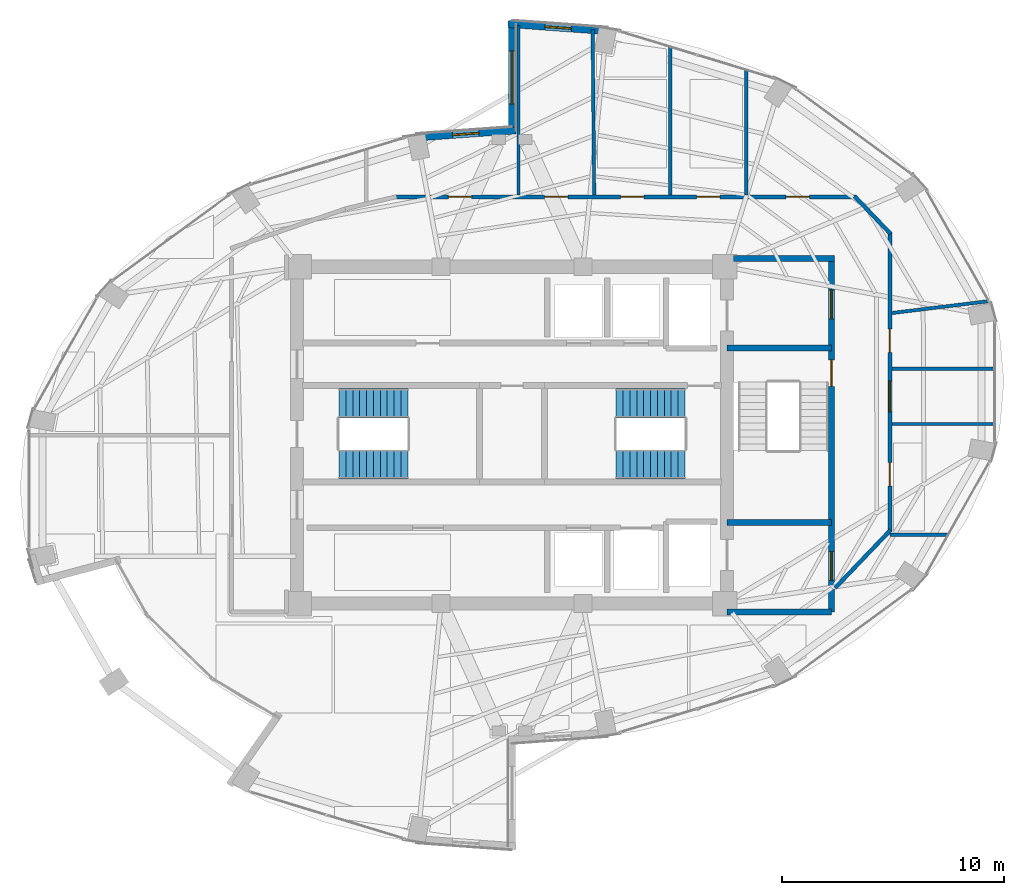
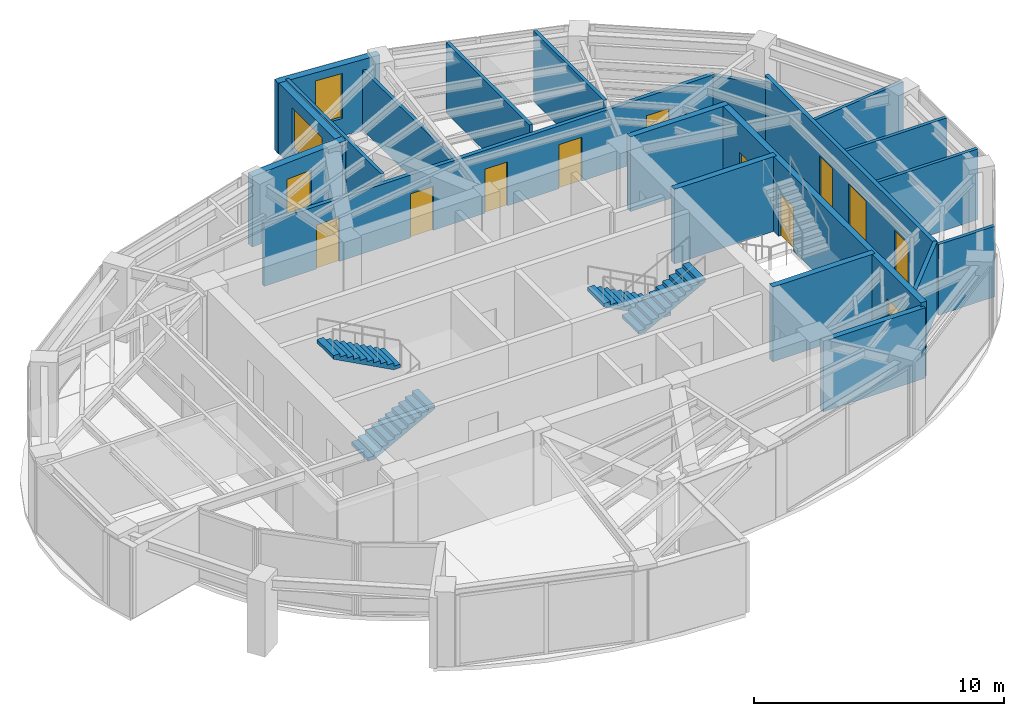
# One storey, part 18 of 21: 20 walls, 11 doors, 4 stair flights, 3 windows, 14 openings, 2 elements without a shape of their own.
"""IFC4 building model written with IfcOpenShell, lengths in metres."""

from ifc_helpers import new_model, si_unit, direction, frame, frame_2d, origin, place, context, subcontext, project, spatial, polyline, rectangle, outline, extrude, material, layer, layer_set, type_object, element, fill, aggregate, save


model = new_model("IFC4")

# Units and contexts
model_context = context("Model", 3, precision=1e-05, world=origin(), true_north=direction((0.0, 1.0)))
body_context = subcontext(model_context, "Body", "Model", "MODEL_VIEW")
ifc_project = project(units=[si_unit("LENGTHUNIT", "METRE"), si_unit("AREAUNIT", "SQUARE_METRE"), si_unit("VOLUMEUNIT", "CUBIC_METRE"), si_unit("PLANEANGLEUNIT", "RADIAN"), si_unit("MASSUNIT", "GRAM", prefix="KILO")], contexts=[model_context])

# Site, building, storey
site_placement = place(None, origin())
site = spatial("IfcSite", under=ifc_project, at=site_placement, CompositionType="ELEMENT")
building_placement = place(site_placement, origin())
building = spatial("IfcBuilding", under=site, at=building_placement, Name="Lazwardi Medical Tower", CompositionType="ELEMENT")
storey_placement = place(building_placement, frame((0.0, 0.0, 220.367919921875)))
storey = spatial("IfcBuildingStorey", under=building, at=storey_placement, Name="L57", CompositionType="ELEMENT", Elevation=220.367919921875)

# Wall, openings, doors
ifc_material_1 = material(Name="Fire-rated gypsum board on steel stud", Category="steel")
ifc_layer_1 = layer(ifc_material_1, 0.179931640625)
ifc_layer_set_1 = layer_set([ifc_layer_1], Name="Fire-rated gypsum board on steel stud")
wall_type_1 = type_object("IfcWallType", Name="WL-COR-180", PredefinedType="PARTITIONING", material=ifc_layer_set_1)
wall_1_placement = place(storey_placement, frame((30.709716796875, 38.75, 0.0), z_axis=(0.0, 0.0, 1.0), x_axis=(1.0, 0.0, 0.0)))
wall_1 = element("IfcWall", 1, at=wall_1_placement, inside=storey, type_object=wall_type_1, Name="L57 Corridor partition 3", PredefinedType="PARTITIONING", context=body_context, shape_type="SweptSolid", body=[
    extrude(rectangle(XDim=20.8154296875, YDim=0.179931640625, at=frame_2d((10.40771484375, 0.0))), origin(), (0.0, 0.0, 1.0), 3.072998046875),
])
opening_1_placement = place(wall_1_placement, frame((17.65380859375, 0.0, 0.0)))
opening_1 = element("IfcOpeningElement", 2, at=opening_1_placement, cuts=wall_1, Name="Opening D-L57-012", PredefinedType="OPENING", context=body_context, shape_type="SweptSolid", body=[
    extrude(rectangle(XDim=1.050048828125, YDim=2.14990234375, at=frame_2d((0.52490234375, 1.074951171875))), frame((0.0, 0.099853515625, 0.0), z_axis=(0.0, -1.0, 0.0), x_axis=(1.0, 0.0, 0.0)), (0.0, 0.0, 1.0), 0.199951171875),
])
opening_2_placement = place(wall_1_placement, frame((13.6201171875, 0.0, 0.0)))
opening_2 = element("IfcOpeningElement", 3, at=opening_2_placement, cuts=wall_1, Name="Opening D-L57-013", PredefinedType="OPENING", context=body_context, shape_type="SweptSolid", body=[
    extrude(rectangle(XDim=1.050048828125, YDim=2.14990234375, at=frame_2d((0.52490234375, 1.074951171875))), frame((0.0, 0.099853515625, 0.0), z_axis=(0.0, -1.0, 0.0), x_axis=(1.0, 0.0, 0.0)), (0.0, 0.0, 1.0), 0.199951171875),
])
opening_3_placement = place(wall_1_placement, frame((10.189697265625, 0.0, 0.0)))
opening_3 = element("IfcOpeningElement", 4, at=opening_3_placement, cuts=wall_1, Name="Opening D-L57-014", PredefinedType="OPENING", context=body_context, shape_type="SweptSolid", body=[
    extrude(rectangle(XDim=1.050048828125, YDim=2.14990234375, at=frame_2d((0.52490234375, 1.074951171875))), frame((0.0, 0.099853515625, 0.0), z_axis=(0.0, -1.0, 0.0), x_axis=(1.0, 0.0, 0.0)), (0.0, 0.0, 1.0), 0.199951171875),
])
opening_4_placement = place(wall_1_placement, frame((6.764892578125, 0.0, 0.0)))
opening_4 = element("IfcOpeningElement", 5, at=opening_4_placement, cuts=wall_1, Name="Opening D-L57-015", PredefinedType="OPENING", context=body_context, shape_type="SweptSolid", body=[
    extrude(rectangle(XDim=1.050048828125, YDim=2.14990234375, at=frame_2d((0.52490234375, 1.074951171875))), frame((0.0, 0.099853515625, 0.0), z_axis=(0.0, -1.0, 0.0), x_axis=(1.0, 0.0, 0.0)), (0.0, 0.0, 1.0), 0.199951171875),
])
opening_5_placement = place(wall_1_placement, frame((2.424072265625, 0.0, 0.0)))
opening_5 = element("IfcOpeningElement", 6, at=opening_5_placement, cuts=wall_1, Name="Opening D-L57-016", PredefinedType="OPENING", context=body_context, shape_type="SweptSolid", body=[
    extrude(rectangle(XDim=1.050048828125, YDim=2.14990234375, at=frame_2d((0.52490234375, 1.074951171875))), frame((0.0, 0.099853515625, 0.0), z_axis=(0.0, -1.0, 0.0), x_axis=(1.0, 0.0, 0.0)), (0.0, 0.0, 1.0), 0.199951171875),
])
ifc_material_2 = material(Name="Anti-microbial laminate hospital leaf")
door_type_1 = type_object("IfcDoorType", Name="DR-CLN-1050", OperationType="NOTDEFINED", PredefinedType="DOOR", material=ifc_material_2)
door_1_placement = place(opening_1_placement, origin())
door_1 = element("IfcDoor", 7, at=door_1_placement, inside=storey, type_object=door_type_1, Name="L57 Outpatient Consultation Suite Door 05", OperationType="SINGLE_SWING_LEFT", OverallHeight=2.14990234375, OverallWidth=1.050048828125, PredefinedType="DOOR", context=body_context, shape_type="SweptSolid", body=[
    extrude(rectangle(XDim=1.050048828125, YDim=2.14990234375, at=frame_2d((0.52490234375, 1.074951171875))), frame((0.0, 0.02490234375, 0.0), z_axis=(0.0, -1.0, 0.0), x_axis=(1.0, 0.0, 0.0)), (0.0, 0.0, 1.0), 0.050048828125),
])
fill(opening_1, door_1)
door_2_placement = place(opening_2_placement, origin())
door_2 = element("IfcDoor", 8, at=door_2_placement, inside=storey, type_object=door_type_1, Name="L57 Outpatient Consultation Suite Door 06", OperationType="SINGLE_SWING_RIGHT", OverallHeight=2.14990234375, OverallWidth=1.050048828125, PredefinedType="DOOR", context=body_context, shape_type="SweptSolid", body=[
    extrude(rectangle(XDim=1.050048828125, YDim=2.14990234375, at=frame_2d((0.52490234375, 1.074951171875))), frame((0.0, 0.02490234375, 0.0), z_axis=(0.0, -1.0, 0.0), x_axis=(1.0, 0.0, 0.0)), (0.0, 0.0, 1.0), 0.050048828125),
])
fill(opening_2, door_2)
door_3_placement = place(opening_3_placement, origin())
door_3 = element("IfcDoor", 9, at=door_3_placement, inside=storey, type_object=door_type_1, Name="L57 Outpatient Consultation Suite Door 07", OperationType="SINGLE_SWING_LEFT", OverallHeight=2.14990234375, OverallWidth=1.050048828125, PredefinedType="DOOR", context=body_context, shape_type="SweptSolid", body=[
    extrude(rectangle(XDim=1.050048828125, YDim=2.14990234375, at=frame_2d((0.52490234375, 1.074951171875))), frame((0.0, 0.02490234375, 0.0), z_axis=(0.0, -1.0, 0.0), x_axis=(1.0, 0.0, 0.0)), (0.0, 0.0, 1.0), 0.050048828125),
])
fill(opening_3, door_3)
door_4_placement = place(opening_4_placement, origin())
door_4 = element("IfcDoor", 10, at=door_4_placement, inside=storey, type_object=door_type_1, Name="L57 Outpatient Consultation Suite Door 08", OperationType="SINGLE_SWING_RIGHT", OverallHeight=2.14990234375, OverallWidth=1.050048828125, PredefinedType="DOOR", context=body_context, shape_type="SweptSolid", body=[
    extrude(rectangle(XDim=1.050048828125, YDim=2.14990234375, at=frame_2d((0.52490234375, 1.074951171875))), frame((0.0, 0.02490234375, 0.0), z_axis=(0.0, -1.0, 0.0), x_axis=(1.0, 0.0, 0.0)), (0.0, 0.0, 1.0), 0.050048828125),
])
fill(opening_4, door_4)
door_5_placement = place(opening_5_placement, origin())
door_5 = element("IfcDoor", 11, at=door_5_placement, inside=storey, type_object=door_type_1, Name="L57 Outpatient Consultation Suite Door 09", OperationType="SINGLE_SWING_LEFT", OverallHeight=2.14990234375, OverallWidth=1.050048828125, PredefinedType="DOOR", context=body_context, shape_type="SweptSolid", body=[
    extrude(rectangle(XDim=1.050048828125, YDim=2.14990234375, at=frame_2d((0.52490234375, 1.074951171875))), frame((0.0, 0.02490234375, 0.0), z_axis=(0.0, -1.0, 0.0), x_axis=(1.0, 0.0, 0.0)), (0.0, 0.0, 1.0), 0.050048828125),
])
fill(opening_5, door_5)

# Wall
wall_2_placement = place(storey_placement, frame((51.45751953125, 38.77880859375, 0.0), z_axis=(0.0, 0.0, 1.0), x_axis=(0.691359830363, -0.722510612352, 0.0)))
element("IfcWall", 12, at=wall_2_placement, inside=storey, type_object=wall_type_1, Name="L57 Corridor partition 4", PredefinedType="PARTITIONING", context=body_context, shape_type="SweptSolid", body=[
    extrude(rectangle(XDim=2.34326171875, YDim=0.179931640625, at=frame_2d((1.171630859375, 0.0))), origin(), (0.0, 0.0, 1.0), 3.032958984375),
])

# Wall, openings, doors
wall_3_placement = place(storey_placement, frame((53.050048828125, 37.154541015625, 0.0), z_axis=(0.0, 0.0, 1.0), x_axis=(0.0, -1.0, 0.0)))
wall_3 = element("IfcWall", 13, at=wall_3_placement, inside=storey, type_object=wall_type_1, Name="L57 Corridor partition 5", PredefinedType="PARTITIONING", context=body_context, shape_type="SweptSolid", body=[
    extrude(rectangle(XDim=13.509033203125, YDim=0.179931640625, at=frame_2d((6.75439453125, 0.0))), origin(), (0.0, 0.0, 1.0), 3.447998046875),
])
opening_6_placement = place(wall_3_placement, frame((10.397705078125, 0.0, 0.0)))
opening_6 = element("IfcOpeningElement", 14, at=opening_6_placement, cuts=wall_3, Name="Opening D-L57-009", PredefinedType="OPENING", context=body_context, shape_type="SweptSolid", body=[
    extrude(rectangle(XDim=1.050048828125, YDim=2.14990234375, at=frame_2d((0.52490234375, 1.074951171875))), frame((0.0, 0.099853515625, 0.0), z_axis=(0.0, -1.0, 0.0), x_axis=(1.0, 0.0, 0.0)), (0.0, 0.0, 1.0), 0.199951171875),
])
opening_7_placement = place(wall_3_placement, frame((6.70458984375, 0.0, 0.0)))
opening_7 = element("IfcOpeningElement", 15, at=opening_7_placement, cuts=wall_3, Name="Opening D-L57-010", PredefinedType="OPENING", context=body_context, shape_type="SweptSolid", body=[
    extrude(rectangle(XDim=1.39990234375, YDim=2.199951171875, at=frame_2d((0.699951171875, 1.10009765625))), frame((0.0, 0.099853515625, 0.0), z_axis=(0.0, -1.0, 0.0), x_axis=(1.0, 0.0, 0.0)), (0.0, 0.0, 1.0), 0.199951171875),
])
opening_8_placement = place(wall_3_placement, frame((4.374755859375, 0.0, 0.0)))
opening_8 = element("IfcOpeningElement", 16, at=opening_8_placement, cuts=wall_3, Name="Opening D-L57-011", PredefinedType="OPENING", context=body_context, shape_type="SweptSolid", body=[
    extrude(rectangle(XDim=1.050048828125, YDim=2.14990234375, at=frame_2d((0.52490234375, 1.074951171875))), frame((0.0, 0.099853515625, 0.0), z_axis=(0.0, -1.0, 0.0), x_axis=(1.0, 0.0, 0.0)), (0.0, 0.0, 1.0), 0.199951171875),
])
door_type_2 = type_object("IfcDoorType", Name="DR-BED-1400", OperationType="NOTDEFINED", PredefinedType="DOOR", material=ifc_material_2)
door_6_placement = place(opening_7_placement, origin())
door_6 = element("IfcDoor", 17, at=door_6_placement, inside=storey, type_object=door_type_2, Name="L57 Rehabilitation Gymnasium Door 03", OperationType="SINGLE_SWING_LEFT", OverallHeight=2.199951171875, OverallWidth=1.39990234375, PredefinedType="DOOR", context=body_context, shape_type="SweptSolid", body=[
    extrude(rectangle(XDim=1.39990234375, YDim=2.199951171875, at=frame_2d((0.699951171875, 1.10009765625))), frame((0.0, 0.02490234375, 0.0), z_axis=(0.0, -1.0, 0.0), x_axis=(1.0, 0.0, 0.0)), (0.0, 0.0, 1.0), 0.050048828125),
])
fill(opening_7, door_6)
door_7_placement = place(opening_6_placement, origin())
door_7 = element("IfcDoor", 18, at=door_7_placement, inside=storey, type_object=door_type_1, Name="L57 Ward Dietetic Pantry Door 02", OperationType="SINGLE_SWING_RIGHT", OverallHeight=2.14990234375, OverallWidth=1.050048828125, PredefinedType="DOOR", context=body_context, shape_type="SweptSolid", body=[
    extrude(rectangle(XDim=1.050048828125, YDim=2.14990234375, at=frame_2d((0.52490234375, 1.074951171875))), frame((0.0, 0.02490234375, 0.0), z_axis=(0.0, -1.0, 0.0), x_axis=(1.0, 0.0, 0.0)), (0.0, 0.0, 1.0), 0.050048828125),
])
fill(opening_6, door_7)
door_8_placement = place(opening_8_placement, origin())
door_8 = element("IfcDoor", 19, at=door_8_placement, inside=storey, type_object=door_type_1, Name="L57 Clinical Specialist Office Door 04", OperationType="SINGLE_SWING_RIGHT", OverallHeight=2.14990234375, OverallWidth=1.050048828125, PredefinedType="DOOR", context=body_context, shape_type="SweptSolid", body=[
    extrude(rectangle(XDim=1.050048828125, YDim=2.14990234375, at=frame_2d((0.52490234375, 1.074951171875))), frame((0.0, 0.02490234375, 0.0), z_axis=(0.0, -1.0, 0.0), x_axis=(1.0, 0.0, 0.0)), (0.0, 0.0, 1.0), 0.050048828125),
])
fill(opening_8, door_8)

# Wall
wall_4_placement = place(storey_placement, frame((53.07763671875, 23.71435546875, 0.0), z_axis=(0.0, 0.0, 1.0), x_axis=(-0.691353379446, -0.722516785085, 0.0)))
element("IfcWall", 20, at=wall_4_placement, inside=storey, type_object=wall_type_1, Name="L57 Corridor partition 6", PredefinedType="PARTITIONING", context=body_context, shape_type="SweptSolid", body=[
    extrude(rectangle(XDim=3.603759765625, YDim=0.179931640625, at=frame_2d((1.8017578125, 0.0))), origin(), (0.0, 0.0, 1.0), 3.447998046875),
])

# Wall, opening, window
ifc_material_3 = material(Name="Precast concrete C45/55", Category="concrete")
ifc_layer_2 = layer(ifc_material_3, 0.320068359375)
ifc_layer_set_2 = layer_set([ifc_layer_2], Name="Precast concrete C45/55")
wall_type_2 = type_object("IfcWallType", Name="WL-IWAN-320", PredefinedType="SOLIDWALL", material=ifc_layer_set_2)
wall_5_placement = place(storey_placement, frame((40.349609375, 46.226318359375, 0.0), z_axis=(0.0, 0.0, 1.0), x_axis=(-0.997409061056, 0.071938619141, 0.0)))
wall_5 = element("IfcWall", 21, at=wall_5_placement, inside=storey, type_object=wall_type_2, Name="L57 Iwan Portal Return Wall NE_ret", PredefinedType="SOLIDWALL", context=body_context, shape_type="SweptSolid", body=[
    extrude(rectangle(XDim=4.540771484375, YDim=0.320068359375, at=frame_2d((2.2705078125, 0.0))), origin(), (0.0, 0.0, 1.0), 3.447998046875),
])
opening_9_placement = place(wall_5_placement, frame((1.67041015625, 0.0, 0.85009765625)))
opening_9 = element("IfcOpeningElement", 22, at=opening_9_placement, cuts=wall_5, Name="Opening WN-01", PredefinedType="OPENING", context=body_context, shape_type="SweptSolid", body=[
    extrude(rectangle(XDim=1.199951171875, YDim=2.199951171875, at=frame_2d((0.60009765625, 1.10009765625))), frame((0.0, 0.169921875, 0.0), z_axis=(0.0, -1.0, 0.0), x_axis=(1.0, 0.0, 0.0)), (0.0, 0.0, 1.0), 0.340087890625),
])
ifc_material_4 = material(Name="Low-e bronze solar control double glazing", Category="glass")
window_type_1 = type_object("IfcWindowType", Name="WIN-IW-1200", PartitioningType="SINGLE_PANEL", PredefinedType="WINDOW", material=ifc_material_4)
window_1_placement = place(opening_9_placement, origin())
window_1 = element("IfcWindow", 23, at=window_1_placement, inside=storey, type_object=window_type_1, Name="L57 Iwan Slot Window NE_ret", OverallHeight=2.199951171875, OverallWidth=1.199951171875, PartitioningType="SINGLE_PANEL", PredefinedType="WINDOW", context=body_context, shape_type="SweptSolid", body=[
    extrude(rectangle(XDim=1.199951171875, YDim=2.199951171875, at=frame_2d((0.60009765625, 1.10009765625))), frame((0.0, 0.030029296875, 0.0), z_axis=(0.0, -1.0, 0.0), x_axis=(1.0, 0.0, 0.0)), (0.0, 0.0, 1.0), 0.06005859375),
])
fill(opening_9, window_1)

wall_6_placement = place(storey_placement, frame((36.17919921875, 41.7529296875, 0.0), z_axis=(0.0, 0.0, 1.0), x_axis=(-0.997408782787, -0.071942477163, 0.0)))
wall_6 = element("IfcWall", 24, at=wall_6_placement, inside=storey, type_object=wall_type_2, Name="L57 Iwan Portal Return Wall NW_ret", PredefinedType="SOLIDWALL", context=body_context, shape_type="SweptSolid", body=[
    extrude(rectangle(XDim=4.54052734375, YDim=0.320068359375, at=frame_2d((2.270263671875, 0.0))), origin(), (0.0, 0.0, 1.0), 3.447998046875),
])
opening_10_placement = place(wall_6_placement, frame((1.67041015625, 0.0, 0.85009765625)))
opening_10 = element("IfcOpeningElement", 25, at=opening_10_placement, cuts=wall_6, Name="Opening WN-04", PredefinedType="OPENING", context=body_context, shape_type="SweptSolid", body=[
    extrude(rectangle(XDim=1.199951171875, YDim=1.800048828125, at=frame_2d((0.60009765625, 0.89990234375))), frame((0.0, 0.169921875, 0.0), z_axis=(0.0, -1.0, 0.0), x_axis=(1.0, 0.0, 0.0)), (0.0, 0.0, 1.0), 0.340087890625),
])
window_type_2 = type_object("IfcWindowType", Name="WIN-DRUM-1200", PartitioningType="SINGLE_PANEL", PredefinedType="WINDOW", material=ifc_material_4)
window_2_placement = place(opening_10_placement, origin())
window_2 = element("IfcWindow", 26, at=window_2_placement, inside=storey, type_object=window_type_2, Name="L57 Iwan Slot Window NW_ret", OverallHeight=1.800048828125, OverallWidth=1.199951171875, PartitioningType="SINGLE_PANEL", PredefinedType="WINDOW", context=body_context, shape_type="SweptSolid", body=[
    extrude(rectangle(XDim=1.199951171875, YDim=1.800048828125, at=frame_2d((0.60009765625, 0.89990234375))), frame((0.0, 0.030029296875, 0.0), z_axis=(0.0, -1.0, 0.0), x_axis=(1.0, 0.0, 0.0)), (0.0, 0.0, 1.0), 0.06005859375),
])
fill(opening_10, window_2)

wall_7_placement = place(storey_placement, frame((36.0, 46.699951171875, 0.0), z_axis=(0.0, 0.0, 1.0), x_axis=(0.0, -1.0, 0.0)))
wall_7 = element("IfcWall", 27, at=wall_7_placement, inside=storey, type_object=wall_type_2, Name="L57 Turquoise Tilework Iwan Seam Wall N_seam", PredefinedType="SOLIDWALL", context=body_context, shape_type="SweptSolid", body=[
    extrude(rectangle(XDim=5.119873046875, YDim=0.320068359375, at=frame_2d((2.56005859375, 0.0))), origin(), (0.0, 0.0, 1.0), 3.447998046875),
])
opening_11_placement = place(wall_7_placement, frame((1.360107421875, 0.0, 0.840087890625)))
opening_11 = element("IfcOpeningElement", 28, at=opening_11_placement, cuts=wall_7, Name="Opening WN-02", PredefinedType="OPENING", context=body_context, shape_type="SweptSolid", body=[
    extrude(rectangle(XDim=2.39990234375, YDim=2.0400390625, at=frame_2d((1.199951171875, 1.02001953125))), frame((0.0, 0.169921875, 0.0), z_axis=(0.0, -1.0, 0.0), x_axis=(1.0, 0.0, 0.0)), (0.0, 0.0, 1.0), 0.340087890625),
])
window_type_3 = type_object("IfcWindowType", Name="WIN-IW-2400", PartitioningType="SINGLE_PANEL", PredefinedType="WINDOW", material=ifc_material_4)
window_3_placement = place(opening_11_placement, origin())
window_3 = element("IfcWindow", 29, at=window_3_placement, inside=storey, type_object=window_type_3, Name="L57 Iwan Seam Window N_seam", OverallHeight=2.0400390625, OverallWidth=2.39990234375, PartitioningType="SINGLE_PANEL", PredefinedType="WINDOW", context=body_context, shape_type="SweptSolid", body=[
    extrude(rectangle(XDim=2.39990234375, YDim=2.0400390625, at=frame_2d((1.199951171875, 1.02001953125))), frame((0.0, 0.030029296875, 0.0), z_axis=(0.0, -1.0, 0.0), x_axis=(1.0, 0.0, 0.0)), (0.0, 0.0, 1.0), 0.06005859375),
])
fill(opening_11, window_3)

# Wall
ifc_material_5 = material(Name="Autoclaved aerated concrete blockwork", Category="masonry")
ifc_layer_3 = layer(ifc_material_5, 0.25)
ifc_layer_set_3 = layer_set([ifc_layer_3], Name="Autoclaved aerated concrete blockwork")
wall_type_3 = type_object("IfcWallType", Name="WL-SHAFT-250", PredefinedType="SOLIDWALL", material=ifc_layer_set_3)
wall_8_placement = place(storey_placement, frame((45.699951171875, 20.02001953125, 0.0), z_axis=(0.0, 0.0, 1.0), x_axis=(1.0, 0.0, 0.0)))
element("IfcWall", 30, at=wall_8_placement, inside=storey, type_object=wall_type_3, Name="L57 FFL-S South wall", PredefinedType="SOLIDWALL", context=body_context, shape_type="SweptSolid", body=[
    extrude(rectangle(XDim=4.715087890625, YDim=0.25, at=frame_2d((2.357421875, 0.0))), origin(), (0.0, 0.0, 1.0), 3.447998046875),
])

# Wall, openings, doors
ifc_material_6 = material(Name="Concrete C50/60", Category="concrete")
ifc_layer_4 = layer(ifc_material_6, 0.27001953125)
ifc_layer_set_4 = layer_set([ifc_layer_4], Name="Concrete C50/60")
wall_type_4 = type_object("IfcWallType", Name="WL-STR-250", PredefinedType="SHEAR", material=ifc_layer_set_4)
wall_9_placement = place(storey_placement, frame((50.4150390625, 35.844970703125, 0.0), z_axis=(0.0, 0.0, 1.0), x_axis=(0.0, -1.0, 0.0)))
wall_9 = element("IfcWall", 31, at=wall_9_placement, inside=storey, type_object=wall_type_4, Name="L57 East ST3 & FFL shear wall SW-S1", PredefinedType="SHEAR", context=body_context, shape_type="SweptSolid", body=[
    extrude(rectangle(XDim=15.824951171875, YDim=0.27001953125, at=frame_2d((7.91259765625, 0.0))), origin(), (0.0, 0.0, 1.0), 3.648193359375),
])
opening_12_placement = place(wall_9_placement, frame((4.445068359375, 0.0, 0.0)))
opening_12 = element("IfcOpeningElement", 32, at=opening_12_placement, cuts=wall_9, Name="Opening D-L57-020", PredefinedType="OPENING", context=body_context, shape_type="SweptSolid", body=[
    extrude(rectangle(XDim=1.199951171875, YDim=2.14990234375, at=frame_2d((0.60009765625, 1.074951171875))), frame((0.0, 0.14501953125, 0.0), z_axis=(0.0, -1.0, 0.0), x_axis=(1.0, 0.0, 0.0)), (0.0, 0.0, 1.0), 0.2900390625),
])
opening_13_placement = place(wall_9_placement, frame((1.294921875, 0.0, 0.0)))
opening_13 = element("IfcOpeningElement", 33, at=opening_13_placement, cuts=wall_9, Name="Opening D-L57-004", PredefinedType="OPENING", context=body_context, shape_type="SweptSolid", body=[
    extrude(rectangle(XDim=1.300048828125, YDim=2.199951171875, at=frame_2d((0.64990234375, 1.10009765625))), frame((0.0, 0.14501953125, 0.0), z_axis=(0.0, -1.0, 0.0), x_axis=(1.0, 0.0, 0.0)), (0.0, 0.0, 1.0), 0.2900390625),
])
opening_14_placement = place(wall_9_placement, frame((13.094970703125, 0.0, 0.0)))
opening_14 = element("IfcOpeningElement", 34, at=opening_14_placement, cuts=wall_9, Name="Opening D-L57-005", PredefinedType="OPENING", context=body_context, shape_type="SweptSolid", body=[
    extrude(rectangle(XDim=1.300048828125, YDim=2.199951171875, at=frame_2d((0.64990234375, 1.10009765625))), frame((0.0, 0.14501953125, 0.0), z_axis=(0.0, -1.0, 0.0), x_axis=(1.0, 0.0, 0.0)), (0.0, 0.0, 1.0), 0.2900390625),
])
ifc_material_7 = material(Name="Fire-rated steel leaf and frame", Category="steel")
door_type_3 = type_object("IfcDoorType", Name="DR-FFL-1300", OperationType="NOTDEFINED", PredefinedType="DOOR", material=ifc_material_7)
door_9_placement = place(opening_13_placement, origin())
door_9 = element("IfcDoor", 35, at=door_9_placement, inside=storey, type_object=door_type_3, Name="L57 Fire-Fighting Lobby North Door", OperationType="SINGLE_SWING_LEFT", OverallHeight=2.199951171875, OverallWidth=1.300048828125, PredefinedType="DOOR", context=body_context, shape_type="SweptSolid", body=[
    extrude(rectangle(XDim=1.300048828125, YDim=2.199951171875, at=frame_2d((0.64990234375, 1.10009765625))), frame((0.0, 0.02490234375, 0.0), z_axis=(0.0, -1.0, 0.0), x_axis=(1.0, 0.0, 0.0)), (0.0, 0.0, 1.0), 0.050048828125),
])
fill(opening_13, door_9)
door_10_placement = place(opening_14_placement, origin())
door_10 = element("IfcDoor", 36, at=door_10_placement, inside=storey, type_object=door_type_3, Name="L57 Fire-Fighting Lobby South Door", OperationType="SINGLE_SWING_RIGHT", OverallHeight=2.199951171875, OverallWidth=1.300048828125, PredefinedType="DOOR", context=body_context, shape_type="SweptSolid", body=[
    extrude(rectangle(XDim=1.300048828125, YDim=2.199951171875, at=frame_2d((0.64990234375, 1.10009765625))), frame((0.0, 0.02490234375, 0.0), z_axis=(0.0, -1.0, 0.0), x_axis=(1.0, 0.0, 0.0)), (0.0, 0.0, 1.0), 0.050048828125),
])
fill(opening_14, door_10)
door_type_4 = type_object("IfcDoorType", Name="DR-STR-1200", OperationType="NOTDEFINED", PredefinedType="DOOR", material=ifc_material_7)
door_11_placement = place(opening_12_placement, origin())
door_11 = element("IfcDoor", 37, at=door_11_placement, inside=storey, type_object=door_type_4, Name="L57 Exit Stair ST3 Door", OperationType="SINGLE_SWING_RIGHT", OverallHeight=2.14990234375, OverallWidth=1.199951171875, PredefinedType="DOOR", context=body_context, shape_type="SweptSolid", body=[
    extrude(rectangle(XDim=1.199951171875, YDim=2.14990234375, at=frame_2d((0.60009765625, 1.074951171875))), frame((0.0, 0.02490234375, 0.0), z_axis=(0.0, -1.0, 0.0), x_axis=(1.0, 0.0, 0.0)), (0.0, 0.0, 1.0), 0.050048828125),
])
fill(opening_12, door_11)

# Walls
wall_10_placement = place(storey_placement, frame((46.0, 35.97998046875, 0.0), z_axis=(0.0, 0.0, 1.0), x_axis=(1.0, 0.0, 0.0)))
element("IfcWall", 38, at=wall_10_placement, inside=storey, type_object=wall_type_4, Name="L57 FFL-N North shear wall SW-S1", PredefinedType="SHEAR", context=body_context, shape_type="SweptSolid", body=[
    extrude(rectangle(XDim=4.550048828125, YDim=0.27001953125, at=frame_2d((2.27490234375, 0.0))), origin(), (0.0, 0.0, 1.0), 3.648193359375),
])
for number, where, z_axis, x_axis, name in (
    (39, (45.699951171875, 31.93505859375, 0.0), (0.0, 0.0, 1.0), (1.0, 0.0, 0.0), "L57 ST3 North shear shaft wall SW-S1"),
    (40, (45.699951171875, 24.06494140625, 0.0), (0.0, 0.0, 1.0), (1.0, 0.0, 0.0), "L57 ST3 South shear shaft wall SW-S1"),
):
    element("IfcWall", number, at=place(storey_placement, frame(where, z_axis=z_axis, x_axis=x_axis)), inside=storey, type_object=wall_type_4, Name=name, PredefinedType="SHEAR", context=body_context, shape_type="SweptSolid", body=[
        extrude(rectangle(XDim=4.715087890625, YDim=0.27001953125, at=frame_2d((2.357421875, 0.0))), origin(), (0.0, 0.0, 1.0), 3.648193359375),
    ])
ifc_material_8 = material(Name="Acoustic gypsum board partition")
ifc_layer_5 = layer(ifc_material_8, 0.14990234375)
ifc_layer_set_5 = layer_set([ifc_layer_5], Name="Acoustic gypsum board partition")
wall_type_5 = type_object("IfcWallType", Name="WL-WRD-150", PredefinedType="PARTITIONING", material=ifc_layer_set_5)
wall_11_placement = place(storey_placement, frame((53.05859375, 23.5, 0.0), z_axis=(0.0, 0.0, 1.0), x_axis=(1.0, 0.0, 0.0)))
element("IfcWall", 41, at=wall_11_placement, inside=storey, type_object=wall_type_5, Name="L57 Room partition 2", PredefinedType="PARTITIONING", context=body_context, shape_type="SweptSolid", body=[
    extrude(rectangle(XDim=2.611572265625, YDim=0.14990234375, at=frame_2d((1.3056640625, 0.0))), origin(), (0.0, 0.0, 1.0), 3.447998046875),
])
for number, where, z_axis, x_axis, name in (
    (42, (53.139892578125, 28.5, 0.0), (0.0, 0.0, 1.0), (1.0, 0.0, 0.0), "L57 Room partition 3"),
    (43, (53.139892578125, 31.0, 0.0), (0.0, 0.0, 1.0), (1.0, 0.0, 0.0), "L57 Room partition 4"),
):
    element("IfcWall", number, at=place(storey_placement, frame(where, z_axis=z_axis, x_axis=x_axis)), inside=storey, type_object=wall_type_5, Name=name, PredefinedType="PARTITIONING", context=body_context, shape_type="SweptSolid", body=[
        extrude(rectangle(XDim=4.6318359375, YDim=0.14990234375, at=frame_2d((2.31591796875, 0.0))), origin(), (0.0, 0.0, 1.0), 3.447998046875),
    ])
wall_12_placement = place(storey_placement, frame((53.139404296875, 33.509033203125, 0.0), z_axis=(0.0, 0.0, 1.0), x_axis=(0.992571001818, 0.121666784083, 0.0)))
element("IfcWall", 44, at=wall_12_placement, inside=storey, type_object=wall_type_5, Name="L57 Room partition 5", PredefinedType="PARTITIONING", context=body_context, shape_type="SweptSolid", body=[
    extrude(rectangle(XDim=4.41650390625, YDim=0.14990234375, at=frame_2d((2.208251953125, 0.0))), origin(), (0.0, 0.0, 1.0), 3.447998046875),
])
wall_13_placement = place(storey_placement, frame((36.2900390625, 38.840087890625, 0.0), z_axis=(0.0, 0.0, 1.0), x_axis=(0.0, 1.0, 0.0)))
element("IfcWall", 45, at=wall_13_placement, inside=storey, type_object=wall_type_5, Name="L57 Room partition 7", PredefinedType="PARTITIONING", context=body_context, shape_type="SweptSolid", body=[
    extrude(rectangle(XDim=7.647216796875, YDim=0.14990234375, at=frame_2d((3.82373046875, 0.0))), origin(), (0.0, 0.0, 1.0), 3.447998046875),
])
wall_14_placement = place(storey_placement, frame((39.709228515625, 38.840087890625, 0.0), z_axis=(0.0, 0.0, 1.0), x_axis=(-0.009590393625, 0.999954011118, 0.0)))
element("IfcWall", 46, at=wall_14_placement, inside=storey, type_object=wall_type_5, Name="L57 Room partition 8", PredefinedType="PARTITIONING", context=body_context, shape_type="SweptSolid", body=[
    extrude(rectangle(XDim=7.458740234375, YDim=0.14990234375, at=frame_2d((3.7294921875, 0.0))), origin(), (0.0, 0.0, 1.0), 2.93310546875),
])
wall_15_placement = place(storey_placement, frame((43.139892578125, 38.840087890625, 0.0), z_axis=(0.0, 0.0, 1.0), x_axis=(0.0, 1.0, 0.0)))
element("IfcWall", 47, at=wall_15_placement, inside=storey, type_object=wall_type_5, Name="L57 Room partition 9", PredefinedType="PARTITIONING", context=body_context, shape_type="SweptSolid", body=[
    extrude(rectangle(XDim=6.66162109375, YDim=0.14990234375, at=frame_2d((3.330810546875, 0.0))), origin(), (0.0, 0.0, 1.0), 3.447998046875),
])
wall_16_placement = place(storey_placement, frame((46.570068359375, 38.840087890625, 0.0), z_axis=(0.0, 0.0, 1.0), x_axis=(0.0, 1.0, 0.0)))
element("IfcWall", 48, at=wall_16_placement, inside=storey, type_object=wall_type_5, Name="L57 Room partition 10", PredefinedType="PARTITIONING", context=body_context, shape_type="SweptSolid", body=[
    extrude(rectangle(XDim=5.6201171875, YDim=0.14990234375, at=frame_2d((2.81005859375, 0.0))), origin(), (0.0, 0.0, 1.0), 3.447998046875),
])

# Stair, stair flights
ifc_material_9 = material(Name="Concrete C45/55", Category="concrete")
stair_type = type_object("IfcStairType", Name="STR-WRD", PredefinedType="HALF_TURN_STAIR", material=ifc_material_9)
stair_1_placement = place(storey_placement, origin())
stair_1 = element("IfcStair", 49, at=stair_1_placement, inside=storey, type_object=stair_type, Name="L57 Protected Exit Stair ST1", PredefinedType="HALF_TURN_STAIR")
stair_flight_type = type_object("IfcStairFlightType", Name="FLT-WRD", PredefinedType="STRAIGHT", material=ifc_material_9)
stair_flight_1_placement = place(storey_placement, frame((28.199951171875, 26.679931640625, 0.0), z_axis=(0.0, 0.0, 1.0), x_axis=(1.0, 0.0, 0.0)))
stair_flight_1 = element("IfcStairFlight", 50, at=stair_flight_1_placement, type_object=stair_flight_type, Name="ST1 flight 1", NumberOfRisers=11, NumberOfTreads=10, PredefinedType="STRAIGHT", RiserHeight=0.165818182, TreadLength=0.31, context=body_context, shape_type="SweptSolid", body=[
    extrude(outline(polyline([(0.0, 0.0), (0.0, 0.165771484375), (0.31005859375, 0.165771484375), (0.31005859375, 0.33154296875), (0.6201171875, 0.33154296875), (0.6201171875, 0.49755859375), (0.929931640625, 0.49755859375), (0.929931640625, 0.663330078125), (1.239990234375, 0.663330078125), (1.239990234375, 0.8291015625), (1.550048828125, 0.8291015625), (1.550048828125, 0.994873046875), (1.860107421875, 0.994873046875), (1.860107421875, 1.16064453125), (2.169921875, 1.16064453125), (2.169921875, 1.32666015625), (2.47998046875, 1.32666015625), (2.47998046875, 1.492431640625), (2.7900390625, 1.492431640625), (2.7900390625, 1.658203125), (3.10009765625, 1.658203125), (3.10009765625, 1.823974609375), (3.10009765625, 1.48828125), (0.31787109375, 0.0), (0.0, 0.0)])), frame((0.0, 0.66015625, 0.0), z_axis=(0.0, -1.0, 0.0), x_axis=(1.0, 0.0, 0.0)), (0.0, 0.0, 1.0), 1.320068359375),
])
stair_flight_2_placement = place(storey_placement, frame((31.300048828125, 29.43994140625, 1.823974609375), z_axis=(0.0, 0.0, 1.0), x_axis=(-1.0, 0.0, 0.0)))
stair_flight_2 = element("IfcStairFlight", 51, at=stair_flight_2_placement, type_object=stair_flight_type, Name="ST1 flight 2", NumberOfRisers=11, NumberOfTreads=10, PredefinedType="STRAIGHT", RiserHeight=0.165818182, TreadLength=0.31, context=body_context, shape_type="SweptSolid", body=[
    extrude(outline(polyline([(0.0, 0.0), (0.0, 0.165771484375), (0.31005859375, 0.165771484375), (0.31005859375, 0.33154296875), (0.6201171875, 0.33154296875), (0.6201171875, 0.49755859375), (0.929931640625, 0.49755859375), (0.929931640625, 0.663330078125), (1.239990234375, 0.663330078125), (1.239990234375, 0.8291015625), (1.550048828125, 0.8291015625), (1.550048828125, 0.994873046875), (1.860107421875, 0.994873046875), (1.860107421875, 1.16064453125), (2.169921875, 1.16064453125), (2.169921875, 1.32666015625), (2.47998046875, 1.32666015625), (2.47998046875, 1.492431640625), (2.7900390625, 1.492431640625), (2.7900390625, 1.658203125), (3.10009765625, 1.658203125), (3.10009765625, 1.823974609375), (3.10009765625, 1.48828125), (0.31787109375, 0.0), (0.0, 0.0)])), frame((0.0, 0.66015625, 0.0), z_axis=(0.0, -1.0, 0.0), x_axis=(1.0, 0.0, 0.0)), (0.0, 0.0, 1.0), 1.320068359375),
])
aggregate(stair_1, [stair_flight_1, stair_flight_2])

stair_2_placement = place(storey_placement, origin())
stair_2 = element("IfcStair", 52, at=stair_2_placement, inside=storey, type_object=stair_type, Name="L57 Protected Exit Stair ST2", PredefinedType="HALF_TURN_STAIR")
stair_flight_3_placement = place(storey_placement, frame((43.800048828125, 29.43994140625, 0.0), z_axis=(0.0, 0.0, 1.0), x_axis=(-1.0, 0.0, 0.0)))
stair_flight_3 = element("IfcStairFlight", 53, at=stair_flight_3_placement, type_object=stair_flight_type, Name="ST2 flight 1", NumberOfRisers=11, NumberOfTreads=10, PredefinedType="STRAIGHT", RiserHeight=0.165818182, TreadLength=0.31, context=body_context, shape_type="SweptSolid", body=[
    extrude(outline(polyline([(0.0, 0.0), (0.0, 0.165771484375), (0.31005859375, 0.165771484375), (0.31005859375, 0.33154296875), (0.6201171875, 0.33154296875), (0.6201171875, 0.49755859375), (0.929931640625, 0.49755859375), (0.929931640625, 0.663330078125), (1.239990234375, 0.663330078125), (1.239990234375, 0.8291015625), (1.550048828125, 0.8291015625), (1.550048828125, 0.994873046875), (1.860107421875, 0.994873046875), (1.860107421875, 1.16064453125), (2.169921875, 1.16064453125), (2.169921875, 1.32666015625), (2.47998046875, 1.32666015625), (2.47998046875, 1.492431640625), (2.7900390625, 1.492431640625), (2.7900390625, 1.658203125), (3.10009765625, 1.658203125), (3.10009765625, 1.823974609375), (3.10009765625, 1.48828125), (0.31787109375, 0.0), (0.0, 0.0)])), frame((0.0, 0.66015625, 0.0), z_axis=(0.0, -1.0, 0.0), x_axis=(1.0, 0.0, 0.0)), (0.0, 0.0, 1.0), 1.320068359375),
])
stair_flight_4_placement = place(storey_placement, frame((40.699951171875, 26.679931640625, 1.823974609375), z_axis=(0.0, 0.0, 1.0), x_axis=(1.0, 0.0, 0.0)))
stair_flight_4 = element("IfcStairFlight", 54, at=stair_flight_4_placement, type_object=stair_flight_type, Name="ST2 flight 2", NumberOfRisers=11, NumberOfTreads=10, PredefinedType="STRAIGHT", RiserHeight=0.165818182, TreadLength=0.31, context=body_context, shape_type="SweptSolid", body=[
    extrude(outline(polyline([(0.0, 0.0), (0.0, 0.165771484375), (0.31005859375, 0.165771484375), (0.31005859375, 0.33154296875), (0.6201171875, 0.33154296875), (0.6201171875, 0.49755859375), (0.929931640625, 0.49755859375), (0.929931640625, 0.663330078125), (1.239990234375, 0.663330078125), (1.239990234375, 0.8291015625), (1.550048828125, 0.8291015625), (1.550048828125, 0.994873046875), (1.860107421875, 0.994873046875), (1.860107421875, 1.16064453125), (2.169921875, 1.16064453125), (2.169921875, 1.32666015625), (2.47998046875, 1.32666015625), (2.47998046875, 1.492431640625), (2.7900390625, 1.492431640625), (2.7900390625, 1.658203125), (3.10009765625, 1.658203125), (3.10009765625, 1.823974609375), (3.10009765625, 1.48828125), (0.31787109375, 0.0), (0.0, 0.0)])), frame((0.0, 0.66015625, 0.0), z_axis=(0.0, -1.0, 0.0), x_axis=(1.0, 0.0, 0.0)), (0.0, 0.0, 1.0), 1.320068359375),
])
aggregate(stair_2, [stair_flight_3, stair_flight_4])

save(model, "model.ifc")
